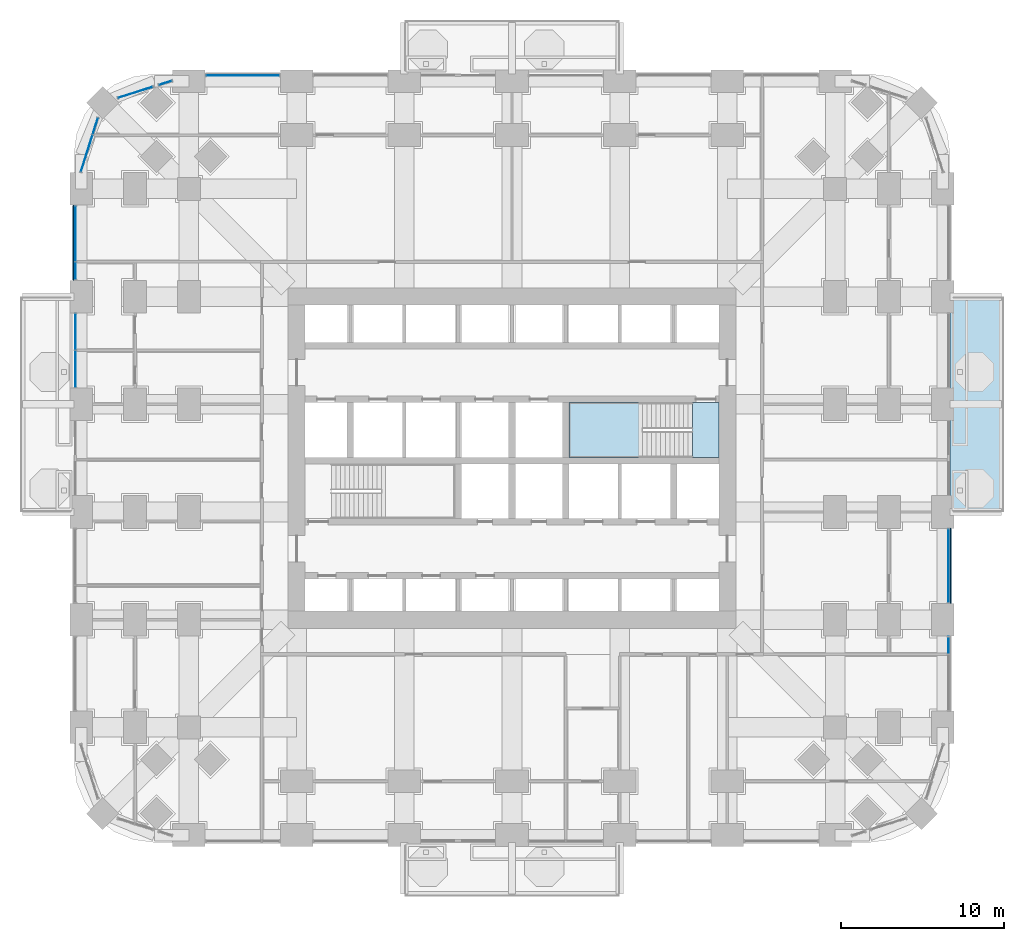
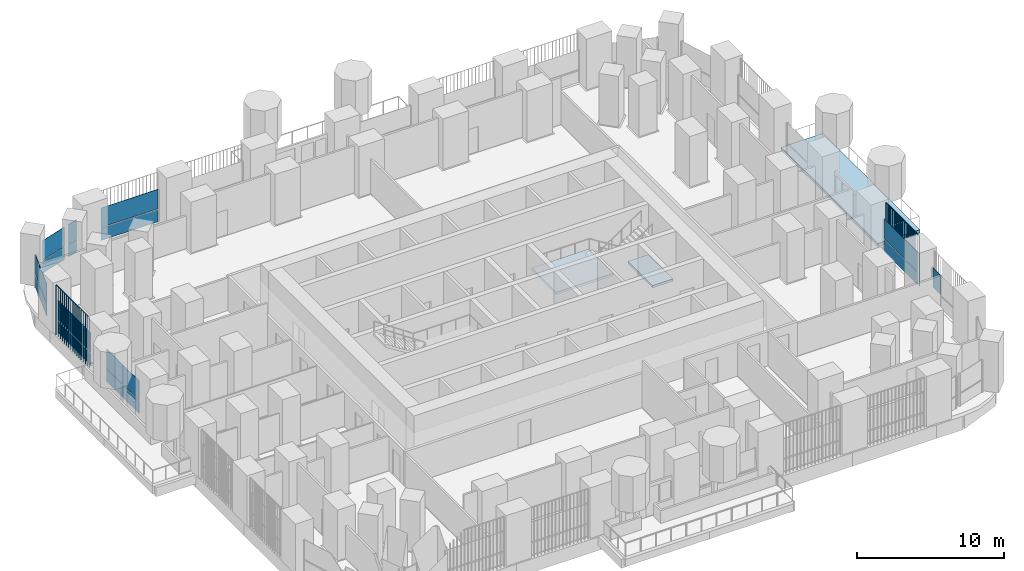
# One storey, part 13 of 24: 23 plates, 3 slabs, 9 elements without a shape of their own.
"""IFC4 building model written with IfcOpenShell, lengths in metres."""

from ifc_helpers import new_model, si_unit, direction, frame, origin, origin_2d, place, context, subcontext, project, spatial, polyline, rectangle, outline, extrude, material, layer, layer_set, type_object, element, aggregate, save


model = new_model("IFC4")

# Units and contexts
model_context = context("Model", 3, precision=1e-05, world=origin(), true_north=direction((0.0, 1.0)))
body_context = subcontext(model_context, "Body", "Model", "MODEL_VIEW")
ifc_project = project(units=[si_unit("LENGTHUNIT", "METRE"), si_unit("AREAUNIT", "SQUARE_METRE"), si_unit("VOLUMEUNIT", "CUBIC_METRE"), si_unit("PLANEANGLEUNIT", "RADIAN"), si_unit("MASSUNIT", "GRAM", prefix="KILO")], contexts=[model_context])

# Site, building, storey
site_placement = place(None, origin())
site = spatial("IfcSite", under=ifc_project, at=site_placement, CompositionType="ELEMENT")
building_placement = place(site_placement, origin())
building = spatial("IfcBuilding", under=site, at=building_placement, Name="Cobogo Forest Laboratory Tower", CompositionType="ELEMENT")
storey_placement = place(building_placement, frame((0.0, 0.0, 17.10009765625)))
storey = spatial("IfcBuildingStorey", under=building, at=storey_placement, Name="L03", CompositionType="ELEMENT", Elevation=17.10009765625)

# Slab
ifc_material_1 = material(Name="Concrete HA-40 (C40/50)", Category="concrete")
ifc_layer_1 = layer(ifc_material_1, 0.25)
ifc_layer_set_1 = layer_set([ifc_layer_1], Name="Balcony slab 250")
slab_type_1 = type_object("IfcSlabType", Name="Balcony slab 250", PredefinedType="FLOOR", material=ifc_layer_set_1)
slab_1_placement = place(storey_placement, frame((0.0, 0.0, -0.25)))
element("IfcSlab", 1, at=slab_1_placement, inside=storey, type_object=slab_type_1, Name="Balcony BAL-E1 L03", PredefinedType="FLOOR", context=body_context, shape_type="SweptSolid", body=[
    extrude(outline(polyline([(53.25, 19.800048828125), (56.550048828125, 19.800048828125), (56.550048828125, 33.0), (53.25, 33.0), (53.25, 19.800048828125)])), origin(), (0.0, 0.0, 1.0), 0.25),
])

# Curtain wall, plate
ifc_material_2 = material(Name="Aluminium curtain wall", Category="aluminium")
curtain_wall_type = type_object("IfcCurtainWallType", Name="CW-1 unitised curtain wall, clear glazing, laboratory floors zones A and B", PredefinedType="USERDEFINED", material=ifc_material_2)
curtain_wall_1_placement = place(storey_placement, origin())
curtain_wall_1 = element("IfcCurtainWall", 2, at=curtain_wall_1_placement, inside=storey, type_object=curtain_wall_type, Name="Curtain wall 10 L03", ObjectType="UNITISED CURTAIN WALL", PredefinedType="USERDEFINED")
ifc_material_3 = material(Name="Clear insulated glass", Category="glass")
ifc_layer_2 = layer(ifc_material_3, 0.028076171875)
ifc_layer_set_2 = layer_set([ifc_layer_2], Name="GP-1 clear insulated glass unit 28")
plate_type_1 = type_object("IfcPlateType", Name="GP-1 clear insulated glass unit 28", PredefinedType="CURTAIN_PANEL", material=ifc_layer_set_2)
plate_1_placement = place(storey_placement, frame((53.14990234375, 11.62255859375, 1.079833984375), z_axis=(0.0, 0.0, 1.0), x_axis=(0.0, 1.0, 0.0)))
plate_1 = element("IfcPlate", 3, at=plate_1_placement, type_object=plate_type_1, Name="CW-1 panel 2.2", PredefinedType="CURTAIN_PANEL", context=body_context, shape_type="SweptSolid", body=[
    extrude(rectangle(XDim=1.034912109375, YDim=0.028076171875, at=origin_2d()), origin(), (0.0, 0.0, 1.0), 1.6201171875),
])
aggregate(curtain_wall_1, [plate_1])

# Curtain wall, plates
curtain_wall_2_placement = place(storey_placement, origin())
curtain_wall_2 = element("IfcCurtainWall", 4, at=curtain_wall_2_placement, inside=storey, type_object=curtain_wall_type, Name="Curtain wall 11 L03", ObjectType="UNITISED CURTAIN WALL", PredefinedType="USERDEFINED")
plate_2_placement = place(storey_placement, frame((53.14990234375, 16.5, 0.0), z_axis=(0.0, 0.0, 1.0), x_axis=(0.0, 1.0, 0.0)))
plate_2 = element("IfcPlate", 5, at=plate_2_placement, type_object=plate_type_1, Name="CW-1 panel 1.1", PredefinedType="CURTAIN_PANEL", context=body_context, shape_type="SweptSolid", body=[
    extrude(rectangle(XDim=4.47998046875, YDim=0.028076171875, at=origin_2d()), origin(), (0.0, 0.0, 1.0), 1.02001953125),
])
plate_3_placement = place(storey_placement, frame((53.14990234375, 16.5, 1.079833984375), z_axis=(0.0, 0.0, 1.0), x_axis=(0.0, 1.0, 0.0)))
plate_3 = element("IfcPlate", 6, at=plate_3_placement, type_object=plate_type_1, Name="CW-1 panel 1.2", PredefinedType="CURTAIN_PANEL", context=body_context, shape_type="SweptSolid", body=[
    extrude(rectangle(XDim=4.47998046875, YDim=0.028076171875, at=origin_2d()), origin(), (0.0, 0.0, 1.0), 1.6201171875),
])
aggregate(curtain_wall_2, [plate_2, plate_3])

curtain_wall_3_placement = place(storey_placement, origin())
curtain_wall_3 = element("IfcCurtainWall", 7, at=curtain_wall_3_placement, inside=storey, type_object=curtain_wall_type, Name="Curtain wall 23 L03", ObjectType="UNITISED CURTAIN WALL", PredefinedType="USERDEFINED")
plate_4_placement = place(storey_placement, frame((9.89990234375, 46.550048828125, 0.0), z_axis=(0.0, 0.0, 1.0), x_axis=(-1.0, 0.0, 0.0)))
plate_4 = element("IfcPlate", 8, at=plate_4_placement, type_object=plate_type_1, Name="CW-1 panel 1.1", PredefinedType="CURTAIN_PANEL", context=body_context, shape_type="SweptSolid", body=[
    extrude(rectangle(XDim=4.47998046875, YDim=0.028076171875, at=origin_2d()), origin(), (0.0, 0.0, 1.0), 1.02001953125),
])
plate_5_placement = place(storey_placement, frame((9.89990234375, 46.550048828125, 1.079833984375), z_axis=(0.0, 0.0, 1.0), x_axis=(-1.0, 0.0, 0.0)))
plate_5 = element("IfcPlate", 9, at=plate_5_placement, type_object=plate_type_1, Name="CW-1 panel 1.2", PredefinedType="CURTAIN_PANEL", context=body_context, shape_type="SweptSolid", body=[
    extrude(rectangle(XDim=4.47998046875, YDim=0.028076171875, at=origin_2d()), origin(), (0.0, 0.0, 1.0), 1.6201171875),
])
aggregate(curtain_wall_3, [plate_4, plate_5])

curtain_wall_4_placement = place(storey_placement, origin())
curtain_wall_4 = element("IfcCurtainWall", 10, at=curtain_wall_4_placement, inside=storey, type_object=curtain_wall_type, Name="Curtain wall 24 L03", ObjectType="UNITISED CURTAIN WALL", PredefinedType="USERDEFINED")
plate_6_placement = place(storey_placement, frame((5.158935546875, 46.094970703125, 0.0), z_axis=(0.0, 0.0, 1.0), x_axis=(-0.953581406818, -0.301135352577, 0.0)))
plate_6 = element("IfcPlate", 11, at=plate_6_placement, type_object=plate_type_1, Name="CW-1 panel 1.1", PredefinedType="CURTAIN_PANEL", context=body_context, shape_type="SweptSolid", body=[
    extrude(rectangle(XDim=0.804931640625, YDim=0.028076171875, at=origin_2d()), origin(), (0.0, 0.0, 1.0), 1.02001953125),
])
plate_7_placement = place(storey_placement, frame((5.158935546875, 46.094970703125, 1.079833984375), z_axis=(0.0, 0.0, 1.0), x_axis=(-0.953581406818, -0.301135352577, 0.0)))
plate_7 = element("IfcPlate", 12, at=plate_7_placement, type_object=plate_type_1, Name="CW-1 panel 1.2", PredefinedType="CURTAIN_PANEL", context=body_context, shape_type="SweptSolid", body=[
    extrude(rectangle(XDim=0.804931640625, YDim=0.028076171875, at=origin_2d()), origin(), (0.0, 0.0, 1.0), 1.6201171875),
])
aggregate(curtain_wall_4, [plate_6, plate_7])

curtain_wall_5_placement = place(storey_placement, origin())
curtain_wall_5 = element("IfcCurtainWall", 13, at=curtain_wall_5_placement, inside=storey, type_object=curtain_wall_type, Name="Curtain wall 25 L03", ObjectType="UNITISED CURTAIN WALL", PredefinedType="USERDEFINED")
plate_8_placement = place(storey_placement, frame((3.31787109375, 45.513427734375, 0.0), z_axis=(0.0, 0.0, 1.0), x_axis=(-0.953581409645, -0.301135343623, 0.0)))
plate_8 = element("IfcPlate", 14, at=plate_8_placement, type_object=plate_type_1, Name="CW-1 panel 1.1", PredefinedType="CURTAIN_PANEL", context=body_context, shape_type="SweptSolid", body=[
    extrude(rectangle(XDim=2.203369140625, YDim=0.028076171875, at=origin_2d()), origin(), (0.0, 0.0, 1.0), 1.02001953125),
])
plate_9_placement = place(storey_placement, frame((3.31787109375, 45.513427734375, 1.079833984375), z_axis=(0.0, 0.0, 1.0), x_axis=(-0.953581409645, -0.301135343623, 0.0)))
plate_9 = element("IfcPlate", 15, at=plate_9_placement, type_object=plate_type_1, Name="CW-1 panel 1.2", PredefinedType="CURTAIN_PANEL", context=body_context, shape_type="SweptSolid", body=[
    extrude(rectangle(XDim=2.203369140625, YDim=0.028076171875, at=origin_2d()), origin(), (0.0, 0.0, 1.0), 1.6201171875),
])
aggregate(curtain_wall_5, [plate_8, plate_9])

curtain_wall_6_placement = place(storey_placement, origin())
curtain_wall_6 = element("IfcCurtainWall", 16, at=curtain_wall_6_placement, inside=storey, type_object=curtain_wall_type, Name="Curtain wall 26 L03", ObjectType="UNITISED CURTAIN WALL", PredefinedType="USERDEFINED")
plate_10_placement = place(storey_placement, frame((0.863525390625, 43.442626953125, 0.0), z_axis=(0.0, 0.0, 1.0), x_axis=(-0.301135433696, -0.953581381201, 0.0)))
plate_10 = element("IfcPlate", 17, at=plate_10_placement, type_object=plate_type_1, Name="CW-1 panel 1.1", PredefinedType="CURTAIN_PANEL", context=body_context, shape_type="SweptSolid", body=[
    extrude(rectangle(XDim=1.027587890625, YDim=0.028076171875, at=origin_2d()), origin(), (0.0, 0.0, 1.0), 1.02001953125),
])
plate_11_placement = place(storey_placement, frame((0.863525390625, 43.442626953125, 1.079833984375), z_axis=(0.0, 0.0, 1.0), x_axis=(-0.301135433696, -0.953581381201, 0.0)))
plate_11 = element("IfcPlate", 18, at=plate_11_placement, type_object=plate_type_1, Name="CW-1 panel 1.2", PredefinedType="CURTAIN_PANEL", context=body_context, shape_type="SweptSolid", body=[
    extrude(rectangle(XDim=1.027587890625, YDim=0.028076171875, at=origin_2d()), origin(), (0.0, 0.0, 1.0), 1.6201171875),
])
plate_12_placement = place(storey_placement, frame((0.337158203125, 41.7763671875, 0.0), z_axis=(0.0, 0.0, 1.0), x_axis=(-0.301135433696, -0.953581381201, 0.0)))
plate_12 = element("IfcPlate", 19, at=plate_12_placement, type_object=plate_type_1, Name="CW-1 panel 2.1", PredefinedType="CURTAIN_PANEL", context=body_context, shape_type="SweptSolid", body=[
    extrude(rectangle(XDim=2.34716796875, YDim=0.028076171875, at=origin_2d()), origin(), (0.0, 0.0, 1.0), 1.02001953125),
])
plate_13_placement = place(storey_placement, frame((0.337158203125, 41.7763671875, 1.079833984375), z_axis=(0.0, 0.0, 1.0), x_axis=(-0.301135433696, -0.953581381201, 0.0)))
plate_13 = element("IfcPlate", 20, at=plate_13_placement, type_object=plate_type_1, Name="CW-1 panel 2.2", PredefinedType="CURTAIN_PANEL", context=body_context, shape_type="SweptSolid", body=[
    extrude(rectangle(XDim=2.34716796875, YDim=0.028076171875, at=origin_2d()), origin(), (0.0, 0.0, 1.0), 1.6201171875),
])
aggregate(curtain_wall_6, [plate_10, plate_11, plate_12, plate_13])

curtain_wall_7_placement = place(storey_placement, origin())
curtain_wall_7 = element("IfcCurtainWall", 21, at=curtain_wall_7_placement, inside=storey, type_object=curtain_wall_type, Name="Curtain wall 27 L03", ObjectType="UNITISED CURTAIN WALL", PredefinedType="USERDEFINED")
plate_14_placement = place(storey_placement, frame((-0.35009765625, 36.847412109375, 0.0), z_axis=(0.0, 0.0, 1.0), x_axis=(0.0, -1.0, 0.0)))
plate_14 = element("IfcPlate", 22, at=plate_14_placement, type_object=plate_type_1, Name="CW-1 panel 1.1", PredefinedType="CURTAIN_PANEL", context=body_context, shape_type="SweptSolid", body=[
    extrude(rectangle(XDim=3.385009765625, YDim=0.028076171875, at=origin_2d()), origin(), (0.0, 0.0, 1.0), 1.02001953125),
])
plate_15_placement = place(storey_placement, frame((-0.35009765625, 36.847412109375, 1.079833984375), z_axis=(0.0, 0.0, 1.0), x_axis=(0.0, -1.0, 0.0)))
plate_15 = element("IfcPlate", 23, at=plate_15_placement, type_object=plate_type_1, Name="CW-1 panel 1.2", PredefinedType="CURTAIN_PANEL", context=body_context, shape_type="SweptSolid", body=[
    extrude(rectangle(XDim=3.385009765625, YDim=0.028076171875, at=origin_2d()), origin(), (0.0, 0.0, 1.0), 1.6201171875),
])
plate_16_placement = place(storey_placement, frame((-0.35009765625, 34.577392578125, 0.0), z_axis=(0.0, 0.0, 1.0), x_axis=(0.0, -1.0, 0.0)))
plate_16 = element("IfcPlate", 24, at=plate_16_placement, type_object=plate_type_1, Name="CW-1 panel 2.1", PredefinedType="CURTAIN_PANEL", context=body_context, shape_type="SweptSolid", body=[
    extrude(rectangle(XDim=1.034912109375, YDim=0.028076171875, at=origin_2d()), origin(), (0.0, 0.0, 1.0), 1.02001953125),
])
plate_17_placement = place(storey_placement, frame((-0.35009765625, 34.577392578125, 1.079833984375), z_axis=(0.0, 0.0, 1.0), x_axis=(0.0, -1.0, 0.0)))
plate_17 = element("IfcPlate", 25, at=plate_17_placement, type_object=plate_type_1, Name="CW-1 panel 2.2", PredefinedType="CURTAIN_PANEL", context=body_context, shape_type="SweptSolid", body=[
    extrude(rectangle(XDim=1.034912109375, YDim=0.028076171875, at=origin_2d()), origin(), (0.0, 0.0, 1.0), 1.6201171875),
])
aggregate(curtain_wall_7, [plate_14, plate_15, plate_16, plate_17])

curtain_wall_8_placement = place(storey_placement, origin())
curtain_wall_8 = element("IfcCurtainWall", 26, at=curtain_wall_8_placement, inside=storey, type_object=curtain_wall_type, Name="Curtain wall 28 L03", ObjectType="UNITISED CURTAIN WALL", PredefinedType="USERDEFINED")
plate_18_placement = place(storey_placement, frame((-0.35009765625, 30.8349609375, 0.0), z_axis=(0.0, 0.0, 1.0), x_axis=(0.0, -1.0, 0.0)))
plate_18 = element("IfcPlate", 27, at=plate_18_placement, type_object=plate_type_1, Name="CW-1 panel 1.1", PredefinedType="CURTAIN_PANEL", context=body_context, shape_type="SweptSolid", body=[
    extrude(rectangle(XDim=2.2099609375, YDim=0.028076171875, at=origin_2d()), origin(), (0.0, 0.0, 1.0), 1.02001953125),
])
plate_19_placement = place(storey_placement, frame((-0.35009765625, 30.8349609375, 1.079833984375), z_axis=(0.0, 0.0, 1.0), x_axis=(0.0, -1.0, 0.0)))
plate_19 = element("IfcPlate", 28, at=plate_19_placement, type_object=plate_type_1, Name="CW-1 panel 1.2", PredefinedType="CURTAIN_PANEL", context=body_context, shape_type="SweptSolid", body=[
    extrude(rectangle(XDim=2.2099609375, YDim=0.028076171875, at=origin_2d()), origin(), (0.0, 0.0, 1.0), 1.6201171875),
])
plate_20_placement = place(storey_placement, frame((-0.35009765625, 28.56494140625, 0.0), z_axis=(0.0, 0.0, 1.0), x_axis=(0.0, -1.0, 0.0)))
plate_20 = element("IfcPlate", 29, at=plate_20_placement, type_object=plate_type_1, Name="CW-1 panel 2.1", PredefinedType="CURTAIN_PANEL", context=body_context, shape_type="SweptSolid", body=[
    extrude(rectangle(XDim=2.2099609375, YDim=0.028076171875, at=origin_2d()), origin(), (0.0, 0.0, 1.0), 1.02001953125),
])
plate_21_placement = place(storey_placement, frame((-0.35009765625, 28.56494140625, 1.079833984375), z_axis=(0.0, 0.0, 1.0), x_axis=(0.0, -1.0, 0.0)))
plate_21 = element("IfcPlate", 30, at=plate_21_placement, type_object=plate_type_1, Name="CW-1 panel 2.2", PredefinedType="CURTAIN_PANEL", context=body_context, shape_type="SweptSolid", body=[
    extrude(rectangle(XDim=2.2099609375, YDim=0.028076171875, at=origin_2d()), origin(), (0.0, 0.0, 1.0), 1.6201171875),
])
aggregate(curtain_wall_8, [plate_18, plate_19, plate_20, plate_21])

# Stair, slabs
ifc_material_4 = material(Name="Precast concrete HA-40 (C40/50)", Category="concrete")
stair_type = type_object("IfcStairType", Name="ST24 exit stair 24 risers", PredefinedType="HALF_TURN_STAIR", material=ifc_material_4)
stair_placement = place(storey_placement, origin())
stair = element("IfcStair", 31, at=stair_placement, inside=storey, type_object=stair_type, Name="Stair 2 L03 to L04", PredefinedType="HALF_TURN_STAIR")
ifc_layer_3 = layer(ifc_material_1, 0.199951171875)
ifc_layer_set_3 = layer_set([ifc_layer_3], Name="SL stair landing 200")
slab_type_2 = type_object("IfcSlabType", Name="SL stair landing 200", PredefinedType="LANDING", material=ifc_layer_set_3)
slab_2_placement = place(storey_placement, frame((0.0, 0.0, -0.2001953125)))
slab_2 = element("IfcSlab", 32, at=slab_2_placement, type_object=slab_type_2, Name="ST2 landing 1", PredefinedType="LANDING", context=body_context, shape_type="SweptSolid", body=[
    extrude(outline(polyline([(37.472900390625, 23.14990234375), (39.074951171875, 23.14990234375), (39.074951171875, 26.5), (37.472900390625, 26.5), (37.472900390625, 23.14990234375)])), origin(), (0.0, 0.0, 1.0), 0.2001953125),
])
slab_3_placement = place(storey_placement, frame((0.0, 0.0, 1.89990234375)))
slab_3 = element("IfcSlab", 33, at=slab_3_placement, type_object=slab_type_2, Name="ST2 landing 2", PredefinedType="LANDING", context=body_context, shape_type="SweptSolid", body=[
    extrude(outline(polyline([(29.89990234375, 23.14990234375), (34.39697265625, 23.14990234375), (34.39697265625, 26.5), (29.89990234375, 26.5), (29.89990234375, 23.14990234375)])), origin(), (0.0, 0.0, 1.0), 0.199951171875),
])
aggregate(stair, [slab_2, slab_3])

# Plates
ifc_material_5 = material(Name="Terracotta", Category="masonry")
plate_type_2 = type_object("IfcPlateType", Name="TB1 terracotta baguette screen", PredefinedType="USERDEFINED", material=ifc_material_5)
plate_22_placement = place(storey_placement, frame((53.27783203125, 14.231201171875, -0.150146484375)))
element("IfcPlate", 34, at=plate_22_placement, inside=storey, type_object=plate_type_2, Name="Baguette screen E2 L03", ObjectType="BAGUETTE SCREEN", PredefinedType="USERDEFINED", context=body_context, shape_type="SweptSolid", body=[
    extrude(outline(polyline([(0.02880859375, 0.011962890625), (0.011962890625, 0.02880859375), (-0.011962890625, 0.02880859375), (-0.02880859375, 0.011962890625), (-0.02880859375, -0.011962890625), (-0.011962890625, -0.02880859375), (0.011962890625, -0.02880859375), (0.02880859375, -0.011962890625), (0.02880859375, 0.011962890625)])), frame((0.0, 0.0, 4.168701171875), z_axis=(0.0, 1.0, 0.0), x_axis=(-1.0, 0.0, 0.0)), (0.0, 0.0, 1.0), 4.53759765625),
    extrude(outline(polyline([(0.02880859375, 0.011962890625), (0.011962890625, 0.02880859375), (-0.011962890625, 0.02880859375), (-0.02880859375, 0.011962890625), (-0.02880859375, -0.011962890625), (-0.011962890625, -0.02880859375), (0.011962890625, -0.02880859375), (0.02880859375, -0.011962890625), (0.02880859375, 0.011962890625)])), origin(), (0.0, 0.0, 1.0), 4.137451171875),
    extrude(outline(polyline([(0.02880859375, 0.011962890625), (0.011962890625, 0.02880859375), (-0.011962890625, 0.02880859375), (-0.02880859375, 0.011962890625), (-0.02880859375, -0.011962890625), (-0.011962890625, -0.02880859375), (0.011962890625, -0.02880859375), (0.02880859375, -0.011962890625), (0.02880859375, 0.011962890625)])), frame((0.0, 0.28369140625, 0.0)), (0.0, 0.0, 1.0), 4.137451171875),
    extrude(outline(polyline([(0.02880859375, 0.011962890625), (0.011962890625, 0.02880859375), (-0.011962890625, 0.02880859375), (-0.02880859375, 0.011962890625), (-0.02880859375, -0.011962890625), (-0.011962890625, -0.02880859375), (0.011962890625, -0.02880859375), (0.02880859375, -0.011962890625), (0.02880859375, 0.011962890625)])), frame((0.0, 0.567138671875, 0.0)), (0.0, 0.0, 1.0), 4.137451171875),
    extrude(outline(polyline([(0.02880859375, 0.011962890625), (0.011962890625, 0.02880859375), (-0.011962890625, 0.02880859375), (-0.02880859375, 0.011962890625), (-0.02880859375, -0.011962890625), (-0.011962890625, -0.02880859375), (0.011962890625, -0.02880859375), (0.02880859375, -0.011962890625), (0.02880859375, 0.011962890625)])), frame((0.0, 0.850830078125, 0.0)), (0.0, 0.0, 1.0), 4.137451171875),
    extrude(outline(polyline([(0.02880859375, 0.011962890625), (0.011962890625, 0.02880859375), (-0.011962890625, 0.02880859375), (-0.02880859375, 0.011962890625), (-0.02880859375, -0.011962890625), (-0.011962890625, -0.02880859375), (0.011962890625, -0.02880859375), (0.02880859375, -0.011962890625), (0.02880859375, 0.011962890625)])), frame((0.0, 1.13427734375, 0.0)), (0.0, 0.0, 1.0), 4.137451171875),
    extrude(outline(polyline([(0.02880859375, 0.011962890625), (0.011962890625, 0.02880859375), (-0.011962890625, 0.02880859375), (-0.02880859375, 0.011962890625), (-0.02880859375, -0.011962890625), (-0.011962890625, -0.02880859375), (0.011962890625, -0.02880859375), (0.02880859375, -0.011962890625), (0.02880859375, 0.011962890625)])), frame((0.0, 1.41796875, 0.0)), (0.0, 0.0, 1.0), 4.137451171875),
    extrude(outline(polyline([(0.02880859375, 0.011962890625), (0.011962890625, 0.02880859375), (-0.011962890625, 0.02880859375), (-0.02880859375, 0.011962890625), (-0.02880859375, -0.011962890625), (-0.011962890625, -0.02880859375), (0.011962890625, -0.02880859375), (0.02880859375, -0.011962890625), (0.02880859375, 0.011962890625)])), frame((0.0, 1.70166015625, 0.0)), (0.0, 0.0, 1.0), 4.137451171875),
    extrude(outline(polyline([(0.02880859375, 0.011962890625), (0.011962890625, 0.02880859375), (-0.011962890625, 0.02880859375), (-0.02880859375, 0.011962890625), (-0.02880859375, -0.011962890625), (-0.011962890625, -0.02880859375), (0.011962890625, -0.02880859375), (0.02880859375, -0.011962890625), (0.02880859375, 0.011962890625)])), frame((0.0, 1.985107421875, 0.0)), (0.0, 0.0, 1.0), 4.137451171875),
    extrude(outline(polyline([(0.02880859375, 0.011962890625), (0.011962890625, 0.02880859375), (-0.011962890625, 0.02880859375), (-0.02880859375, 0.011962890625), (-0.02880859375, -0.011962890625), (-0.011962890625, -0.02880859375), (0.011962890625, -0.02880859375), (0.02880859375, -0.011962890625), (0.02880859375, 0.011962890625)])), frame((0.0, 2.268798828125, 0.0)), (0.0, 0.0, 1.0), 4.137451171875),
    extrude(outline(polyline([(0.02880859375, 0.011962890625), (0.011962890625, 0.02880859375), (-0.011962890625, 0.02880859375), (-0.02880859375, 0.011962890625), (-0.02880859375, -0.011962890625), (-0.011962890625, -0.02880859375), (0.011962890625, -0.02880859375), (0.02880859375, -0.011962890625), (0.02880859375, 0.011962890625)])), frame((0.0, 2.552490234375, 0.0)), (0.0, 0.0, 1.0), 4.137451171875),
    extrude(outline(polyline([(0.02880859375, 0.011962890625), (0.011962890625, 0.02880859375), (-0.011962890625, 0.02880859375), (-0.02880859375, 0.011962890625), (-0.02880859375, -0.011962890625), (-0.011962890625, -0.02880859375), (0.011962890625, -0.02880859375), (0.02880859375, -0.011962890625), (0.02880859375, 0.011962890625)])), frame((0.0, 2.8359375, 0.0)), (0.0, 0.0, 1.0), 4.137451171875),
    extrude(outline(polyline([(0.02880859375, 0.011962890625), (0.011962890625, 0.02880859375), (-0.011962890625, 0.02880859375), (-0.02880859375, 0.011962890625), (-0.02880859375, -0.011962890625), (-0.011962890625, -0.02880859375), (0.011962890625, -0.02880859375), (0.02880859375, -0.011962890625), (0.02880859375, 0.011962890625)])), frame((0.0, 3.11962890625, 0.0)), (0.0, 0.0, 1.0), 4.137451171875),
    extrude(outline(polyline([(0.02880859375, 0.011962890625), (0.011962890625, 0.02880859375), (-0.011962890625, 0.02880859375), (-0.02880859375, 0.011962890625), (-0.02880859375, -0.011962890625), (-0.011962890625, -0.02880859375), (0.011962890625, -0.02880859375), (0.02880859375, -0.011962890625), (0.02880859375, 0.011962890625)])), frame((0.0, 3.4033203125, 0.0)), (0.0, 0.0, 1.0), 4.137451171875),
    extrude(outline(polyline([(0.02880859375, 0.011962890625), (0.011962890625, 0.02880859375), (-0.011962890625, 0.02880859375), (-0.02880859375, 0.011962890625), (-0.02880859375, -0.011962890625), (-0.011962890625, -0.02880859375), (0.011962890625, -0.02880859375), (0.02880859375, -0.011962890625), (0.02880859375, 0.011962890625)])), frame((0.0, 3.686767578125, 0.0)), (0.0, 0.0, 1.0), 4.137451171875),
    extrude(outline(polyline([(0.02880859375, 0.011962890625), (0.011962890625, 0.02880859375), (-0.011962890625, 0.02880859375), (-0.02880859375, 0.011962890625), (-0.02880859375, -0.011962890625), (-0.011962890625, -0.02880859375), (0.011962890625, -0.02880859375), (0.02880859375, -0.011962890625), (0.02880859375, 0.011962890625)])), frame((0.0, 3.970458984375, 0.0)), (0.0, 0.0, 1.0), 4.137451171875),
    extrude(outline(polyline([(0.02880859375, 0.011962890625), (0.011962890625, 0.02880859375), (-0.011962890625, 0.02880859375), (-0.02880859375, 0.011962890625), (-0.02880859375, -0.011962890625), (-0.011962890625, -0.02880859375), (0.011962890625, -0.02880859375), (0.02880859375, -0.011962890625), (0.02880859375, 0.011962890625)])), frame((0.0, 4.25390625, 0.0)), (0.0, 0.0, 1.0), 4.137451171875),
    extrude(outline(polyline([(0.02880859375, 0.011962890625), (0.011962890625, 0.02880859375), (-0.011962890625, 0.02880859375), (-0.02880859375, 0.011962890625), (-0.02880859375, -0.011962890625), (-0.011962890625, -0.02880859375), (0.011962890625, -0.02880859375), (0.02880859375, -0.011962890625), (0.02880859375, 0.011962890625)])), frame((0.0, 4.53759765625, 0.0)), (0.0, 0.0, 1.0), 4.137451171875),
])
plate_23_placement = place(storey_placement, frame((-0.477783203125, 34.03125, -0.150146484375)))
element("IfcPlate", 35, at=plate_23_placement, inside=storey, type_object=plate_type_2, Name="Baguette screen W5 L03", ObjectType="BAGUETTE SCREEN", PredefinedType="USERDEFINED", context=body_context, shape_type="SweptSolid", body=[
    extrude(outline(polyline([(0.02880859375, 0.011962890625), (0.011962890625, 0.02880859375), (-0.011962890625, 0.02880859375), (-0.02880859375, 0.011962890625), (-0.02880859375, -0.011962890625), (-0.011962890625, -0.02880859375), (0.011962890625, -0.02880859375), (0.02880859375, -0.011962890625), (0.02880859375, 0.011962890625)])), frame((0.0, 0.0, 4.168701171875), z_axis=(0.0, 1.0, 0.0), x_axis=(-1.0, 0.0, 0.0)), (0.0, 0.0, 1.0), 4.53759765625),
    extrude(outline(polyline([(0.02880859375, 0.011962890625), (0.011962890625, 0.02880859375), (-0.011962890625, 0.02880859375), (-0.02880859375, 0.011962890625), (-0.02880859375, -0.011962890625), (-0.011962890625, -0.02880859375), (0.011962890625, -0.02880859375), (0.02880859375, -0.011962890625), (0.02880859375, 0.011962890625)])), origin(), (0.0, 0.0, 1.0), 4.137451171875),
    extrude(outline(polyline([(0.02880859375, 0.011962890625), (0.011962890625, 0.02880859375), (-0.011962890625, 0.02880859375), (-0.02880859375, 0.011962890625), (-0.02880859375, -0.011962890625), (-0.011962890625, -0.02880859375), (0.011962890625, -0.02880859375), (0.02880859375, -0.011962890625), (0.02880859375, 0.011962890625)])), frame((0.0, 0.28369140625, 0.0)), (0.0, 0.0, 1.0), 4.137451171875),
    extrude(outline(polyline([(0.02880859375, 0.011962890625), (0.011962890625, 0.02880859375), (-0.011962890625, 0.02880859375), (-0.02880859375, 0.011962890625), (-0.02880859375, -0.011962890625), (-0.011962890625, -0.02880859375), (0.011962890625, -0.02880859375), (0.02880859375, -0.011962890625), (0.02880859375, 0.011962890625)])), frame((0.0, 0.567138671875, 0.0)), (0.0, 0.0, 1.0), 4.137451171875),
    extrude(outline(polyline([(0.02880859375, 0.011962890625), (0.011962890625, 0.02880859375), (-0.011962890625, 0.02880859375), (-0.02880859375, 0.011962890625), (-0.02880859375, -0.011962890625), (-0.011962890625, -0.02880859375), (0.011962890625, -0.02880859375), (0.02880859375, -0.011962890625), (0.02880859375, 0.011962890625)])), frame((0.0, 0.850830078125, 0.0)), (0.0, 0.0, 1.0), 4.137451171875),
    extrude(outline(polyline([(0.02880859375, 0.011962890625), (0.011962890625, 0.02880859375), (-0.011962890625, 0.02880859375), (-0.02880859375, 0.011962890625), (-0.02880859375, -0.011962890625), (-0.011962890625, -0.02880859375), (0.011962890625, -0.02880859375), (0.02880859375, -0.011962890625), (0.02880859375, 0.011962890625)])), frame((0.0, 1.13427734375, 0.0)), (0.0, 0.0, 1.0), 4.137451171875),
    extrude(outline(polyline([(0.02880859375, 0.011962890625), (0.011962890625, 0.02880859375), (-0.011962890625, 0.02880859375), (-0.02880859375, 0.011962890625), (-0.02880859375, -0.011962890625), (-0.011962890625, -0.02880859375), (0.011962890625, -0.02880859375), (0.02880859375, -0.011962890625), (0.02880859375, 0.011962890625)])), frame((0.0, 1.41796875, 0.0)), (0.0, 0.0, 1.0), 4.137451171875),
    extrude(outline(polyline([(0.02880859375, 0.011962890625), (0.011962890625, 0.02880859375), (-0.011962890625, 0.02880859375), (-0.02880859375, 0.011962890625), (-0.02880859375, -0.011962890625), (-0.011962890625, -0.02880859375), (0.011962890625, -0.02880859375), (0.02880859375, -0.011962890625), (0.02880859375, 0.011962890625)])), frame((0.0, 1.70166015625, 0.0)), (0.0, 0.0, 1.0), 4.137451171875),
    extrude(outline(polyline([(0.02880859375, 0.011962890625), (0.011962890625, 0.02880859375), (-0.011962890625, 0.02880859375), (-0.02880859375, 0.011962890625), (-0.02880859375, -0.011962890625), (-0.011962890625, -0.02880859375), (0.011962890625, -0.02880859375), (0.02880859375, -0.011962890625), (0.02880859375, 0.011962890625)])), frame((0.0, 1.985107421875, 0.0)), (0.0, 0.0, 1.0), 4.137451171875),
    extrude(outline(polyline([(0.02880859375, 0.011962890625), (0.011962890625, 0.02880859375), (-0.011962890625, 0.02880859375), (-0.02880859375, 0.011962890625), (-0.02880859375, -0.011962890625), (-0.011962890625, -0.02880859375), (0.011962890625, -0.02880859375), (0.02880859375, -0.011962890625), (0.02880859375, 0.011962890625)])), frame((0.0, 2.268798828125, 0.0)), (0.0, 0.0, 1.0), 4.137451171875),
    extrude(outline(polyline([(0.02880859375, 0.011962890625), (0.011962890625, 0.02880859375), (-0.011962890625, 0.02880859375), (-0.02880859375, 0.011962890625), (-0.02880859375, -0.011962890625), (-0.011962890625, -0.02880859375), (0.011962890625, -0.02880859375), (0.02880859375, -0.011962890625), (0.02880859375, 0.011962890625)])), frame((0.0, 2.552490234375, 0.0)), (0.0, 0.0, 1.0), 4.137451171875),
    extrude(outline(polyline([(0.02880859375, 0.011962890625), (0.011962890625, 0.02880859375), (-0.011962890625, 0.02880859375), (-0.02880859375, 0.011962890625), (-0.02880859375, -0.011962890625), (-0.011962890625, -0.02880859375), (0.011962890625, -0.02880859375), (0.02880859375, -0.011962890625), (0.02880859375, 0.011962890625)])), frame((0.0, 2.8359375, 0.0)), (0.0, 0.0, 1.0), 4.137451171875),
    extrude(outline(polyline([(0.02880859375, 0.011962890625), (0.011962890625, 0.02880859375), (-0.011962890625, 0.02880859375), (-0.02880859375, 0.011962890625), (-0.02880859375, -0.011962890625), (-0.011962890625, -0.02880859375), (0.011962890625, -0.02880859375), (0.02880859375, -0.011962890625), (0.02880859375, 0.011962890625)])), frame((0.0, 3.11962890625, 0.0)), (0.0, 0.0, 1.0), 4.137451171875),
    extrude(outline(polyline([(0.02880859375, 0.011962890625), (0.011962890625, 0.02880859375), (-0.011962890625, 0.02880859375), (-0.02880859375, 0.011962890625), (-0.02880859375, -0.011962890625), (-0.011962890625, -0.02880859375), (0.011962890625, -0.02880859375), (0.02880859375, -0.011962890625), (0.02880859375, 0.011962890625)])), frame((0.0, 3.4033203125, 0.0)), (0.0, 0.0, 1.0), 4.137451171875),
    extrude(outline(polyline([(0.02880859375, 0.011962890625), (0.011962890625, 0.02880859375), (-0.011962890625, 0.02880859375), (-0.02880859375, 0.011962890625), (-0.02880859375, -0.011962890625), (-0.011962890625, -0.02880859375), (0.011962890625, -0.02880859375), (0.02880859375, -0.011962890625), (0.02880859375, 0.011962890625)])), frame((0.0, 3.686767578125, 0.0)), (0.0, 0.0, 1.0), 4.137451171875),
    extrude(outline(polyline([(0.02880859375, 0.011962890625), (0.011962890625, 0.02880859375), (-0.011962890625, 0.02880859375), (-0.02880859375, 0.011962890625), (-0.02880859375, -0.011962890625), (-0.011962890625, -0.02880859375), (0.011962890625, -0.02880859375), (0.02880859375, -0.011962890625), (0.02880859375, 0.011962890625)])), frame((0.0, 3.970458984375, 0.0)), (0.0, 0.0, 1.0), 4.137451171875),
    extrude(outline(polyline([(0.02880859375, 0.011962890625), (0.011962890625, 0.02880859375), (-0.011962890625, 0.02880859375), (-0.02880859375, 0.011962890625), (-0.02880859375, -0.011962890625), (-0.011962890625, -0.02880859375), (0.011962890625, -0.02880859375), (0.02880859375, -0.011962890625), (0.02880859375, 0.011962890625)])), frame((0.0, 4.25390625, 0.0)), (0.0, 0.0, 1.0), 4.137451171875),
    extrude(outline(polyline([(0.02880859375, 0.011962890625), (0.011962890625, 0.02880859375), (-0.011962890625, 0.02880859375), (-0.02880859375, 0.011962890625), (-0.02880859375, -0.011962890625), (-0.011962890625, -0.02880859375), (0.011962890625, -0.02880859375), (0.02880859375, -0.011962890625), (0.02880859375, 0.011962890625)])), frame((0.0, 4.53759765625, 0.0)), (0.0, 0.0, 1.0), 4.137451171875),
])

save(model, "model.ifc")
